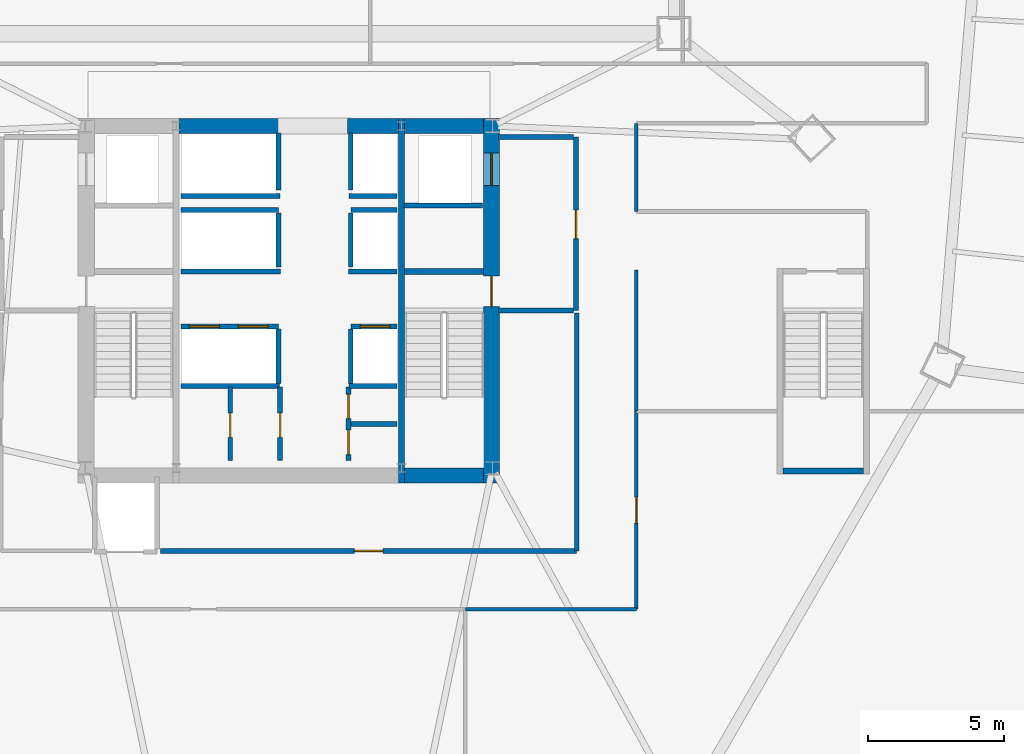
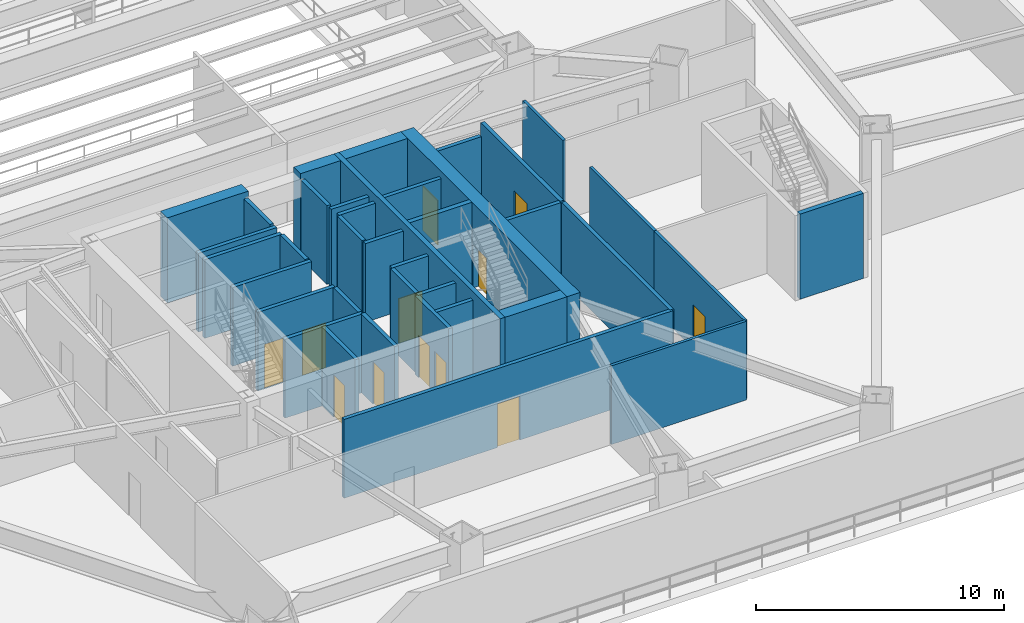
# One storey, part 6 of 12: 38 walls, 12 doors, 12 openings.
"""IFC4 building model written with IfcOpenShell, lengths in metres."""

from ifc_helpers import new_model, si_unit, direction, frame, frame_2d, origin, place, context, subcontext, project, spatial, rectangle, extrude, material, layer, layer_set, type_object, element, fill, save


model = new_model("IFC4")

# Units and contexts
model_context = context("Model", 3, precision=1e-05, world=origin(), true_north=direction((0.0, 1.0)))
body_context = subcontext(model_context, "Body", "Model", "MODEL_VIEW")
ifc_project = project(units=[si_unit("LENGTHUNIT", "METRE"), si_unit("AREAUNIT", "SQUARE_METRE"), si_unit("VOLUMEUNIT", "CUBIC_METRE"), si_unit("PLANEANGLEUNIT", "RADIAN"), si_unit("MASSUNIT", "GRAM", prefix="KILO")], contexts=[model_context])

# Site, building, storey
site_placement = place(None, origin())
site = spatial("IfcSite", under=ifc_project, at=site_placement, CompositionType="ELEMENT")
building_placement = place(site_placement, origin())
building = spatial("IfcBuilding", under=site, at=building_placement, Name="Caelisora Broadcast Tower", CompositionType="ELEMENT")
storey_placement = place(building_placement, frame((0.0, 0.0, 14.699951171875)))
storey = spatial("IfcBuildingStorey", under=building, at=storey_placement, Name="L03", CompositionType="ELEMENT", Elevation=14.699951171875)

# Wall, openings, doors
ifc_material_1 = material(Name="Concrete 65 MPa (AS 3600 S65)", Category="concrete")
ifc_layer_1 = layer(ifc_material_1, 0.60009765625, Name="Concrete 65 MPa (AS 3600 S65)")
ifc_layer_set_1 = layer_set([ifc_layer_1], Name="Concrete 65 MPa (AS 3600 S65)")
wall_type_1 = type_object("IfcWallType", Name="CW1", PredefinedType="SHEAR", material=ifc_layer_set_1)
wall_1_placement = place(storey_placement, frame((45.4599609375, 16.85009765625, 0.0), z_axis=(0.0, 0.0, 1.0), x_axis=(0.0, 1.0, 0.0)))
wall_1 = element("IfcWall", 1, at=wall_1_placement, inside=storey, type_object=wall_type_1, Name="L03 core shear wall CW1", PredefinedType="SHEAR", context=body_context, shape_type="SweptSolid", body=[
    extrude(rectangle(XDim=13.4248046875, YDim=0.60009765625, at=frame_2d((6.71240234375, 0.0))), origin(), (0.0, 0.0, 1.0), 4.199951171875),
])
opening_1_placement = place(wall_1_placement, frame((6.5, 0.0, 0.0)))
opening_1 = element("IfcOpeningElement", 2, at=opening_1_placement, cuts=wall_1, Name="Opening FD04", PredefinedType="OPENING", context=body_context, shape_type="SweptSolid", body=[
    extrude(rectangle(XDim=1.1201171875, YDim=2.14990234375, at=frame_2d((0.56005859375, 1.074951171875))), frame((0.0, 0.31201171875, 0.0), z_axis=(0.0, -1.0, 0.0), x_axis=(1.0, 0.0, 0.0)), (0.0, 0.0, 1.0), 0.6240234375),
])
opening_2_placement = place(wall_1_placement, frame((10.949951171875, 0.0, 0.0)))
opening_2 = element("IfcOpeningElement", 3, at=opening_2_placement, cuts=wall_1, Name="Opening LD04", PredefinedType="OPENING", context=body_context, shape_type="SweptSolid", body=[
    extrude(rectangle(XDim=1.199951171875, YDim=2.199951171875, at=frame_2d((0.60009765625, 1.10009765625))), frame((0.0, 0.31201171875, 0.0), z_axis=(0.0, -1.0, 0.0), x_axis=(1.0, 0.0, 0.0)), (0.0, 0.0, 1.0), 0.6240234375),
])
ifc_material_2 = material(Name="Pressurised Fire-Isolated Stair Door", Category="steel")
door_type_1 = type_object("IfcDoorType", Name="FD04", OperationType="NOTDEFINED", PredefinedType="DOOR", material=ifc_material_2)
door_1_placement = place(opening_1_placement, origin())
door_1 = element("IfcDoor", 4, at=door_1_placement, inside=storey, type_object=door_type_1, Name="L03 door FD04 (L03-DR-ST2)", OperationType="SINGLE_SWING_RIGHT", OverallHeight=2.14990234375, OverallWidth=1.1201171875, PredefinedType="DOOR", context=body_context, shape_type="SweptSolid", body=[
    extrude(rectangle(XDim=1.1201171875, YDim=2.14990234375, at=frame_2d((0.56005859375, 1.074951171875))), frame((0.0, 0.02490234375, 0.0), z_axis=(0.0, -1.0, 0.0), x_axis=(1.0, 0.0, 0.0)), (0.0, 0.0, 1.0), 0.050048828125),
])
fill(opening_1, door_1)
ifc_material_3 = material(Name="Emergency Firefighting Lift Sliding Landing Door", Category="steel")
door_type_2 = type_object("IfcDoorType", Name="LD04", OperationType="NOTDEFINED", PredefinedType="DOOR", material=ifc_material_3)
door_2_placement = place(opening_2_placement, origin())
door_2 = element("IfcDoor", 5, at=door_2_placement, inside=storey, type_object=door_type_2, Name="L03 door LD04 (L03-LD-FFL2)", OperationType="SLIDING_TO_RIGHT", OverallHeight=2.199951171875, OverallWidth=1.199951171875, PredefinedType="DOOR", context=body_context, shape_type="SweptSolid", body=[
    extrude(rectangle(XDim=1.199951171875, YDim=2.199951171875, at=frame_2d((0.60009765625, 1.10009765625))), frame((0.0, 0.02490234375, 0.0), z_axis=(0.0, -1.0, 0.0), x_axis=(1.0, 0.0, 0.0)), (0.0, 0.0, 1.0), 0.050048828125),
])
fill(opening_2, door_2)

# Walls
ifc_layer_2 = layer(ifc_material_1, 0.550048828125, Name="Concrete 65 MPa (AS 3600 S65)")
ifc_layer_set_2 = layer_set([ifc_layer_2], Name="Concrete 65 MPa (AS 3600 S65)")
wall_type_2 = type_object("IfcWallType", Name="CW4", PredefinedType="SHEAR", material=ifc_layer_set_2)
wall_2_placement = place(storey_placement, frame((42.260009765625, 17.125, 0.0), z_axis=(0.0, 0.0, 1.0), x_axis=(1.0, 0.0, 0.0)))
element("IfcWall", 6, at=wall_2_placement, inside=storey, type_object=wall_type_2, Name="L03 core shear wall CW4", PredefinedType="SHEAR", context=body_context, shape_type="SweptSolid", body=[
    extrude(rectangle(XDim=2.89990234375, YDim=0.550048828125, at=frame_2d((1.449951171875, 0.0))), origin(), (0.0, 0.0, 1.0), 4.199951171875),
])
wall_3_placement = place(storey_placement, frame((33.9599609375, 30.0, 0.0), z_axis=(0.0, 0.0, 1.0), x_axis=(1.0, 0.0, 0.0)))
element("IfcWall", 7, at=wall_3_placement, inside=storey, type_object=wall_type_2, Name="L03 core shear wall CW4", PredefinedType="SHEAR", context=body_context, shape_type="SweptSolid", body=[
    extrude(rectangle(XDim=3.780029296875, YDim=0.550048828125, at=frame_2d((1.89013671875, 0.0))), origin(), (0.0, 0.0, 1.0), 4.199951171875),
])
wall_4_placement = place(storey_placement, frame((40.159912109375, 30.0, 0.0), z_axis=(0.0, 0.0, 1.0), x_axis=(1.0, 0.0, 0.0)))
element("IfcWall", 8, at=wall_4_placement, inside=storey, type_object=wall_type_2, Name="L03 core shear wall CW4", PredefinedType="SHEAR", context=body_context, shape_type="SweptSolid", body=[
    extrude(rectangle(XDim=1.880126953125, YDim=0.550048828125, at=frame_2d((0.93994140625, 0.0))), origin(), (0.0, 0.0, 1.0), 4.199951171875),
])
wall_5_placement = place(storey_placement, frame((42.260009765625, 30.0, 0.0), z_axis=(0.0, 0.0, 1.0), x_axis=(1.0, 0.0, 0.0)))
element("IfcWall", 9, at=wall_5_placement, inside=storey, type_object=wall_type_2, Name="L03 core shear wall CW4", PredefinedType="SHEAR", context=body_context, shape_type="SweptSolid", body=[
    extrude(rectangle(XDim=2.89990234375, YDim=0.550048828125, at=frame_2d((1.449951171875, 0.0))), origin(), (0.0, 0.0, 1.0), 4.199951171875),
])
ifc_material_4 = material(Name="Concrete 50 MPa (AS 3600 S50)", Category="concrete")
ifc_layer_3 = layer(ifc_material_4, 0.219970703125, Name="Concrete 50 MPa (AS 3600 S50)")
ifc_layer_set_3 = layer_set([ifc_layer_3], Name="Concrete 50 MPa (AS 3600 S50)")
wall_type_3 = type_object("IfcWallType", Name="CW7", PredefinedType="SHEAR", material=ifc_layer_set_3)
wall_6_placement = place(storey_placement, frame((42.14990234375, 16.85009765625, 0.0), z_axis=(0.0, 0.0, 1.0), x_axis=(0.0, 1.0, 0.0)))
element("IfcWall", 10, at=wall_6_placement, inside=storey, type_object=wall_type_3, Name="L03 core shear wall CW7", PredefinedType="SHEAR", context=body_context, shape_type="SweptSolid", body=[
    extrude(rectangle(XDim=13.4248046875, YDim=0.219970703125, at=frame_2d((6.71240234375, 0.0))), origin(), (0.0, 0.0, 1.0), 4.199951171875),
])
wall_7_placement = place(storey_placement, frame((42.260009765625, 24.639892578125, 0.0), z_axis=(0.0, 0.0, 1.0), x_axis=(1.0, 0.0, 0.0)))
element("IfcWall", 11, at=wall_7_placement, inside=storey, type_object=wall_type_3, Name="L03 core shear wall CW7", PredefinedType="SHEAR", context=body_context, shape_type="SweptSolid", body=[
    extrude(rectangle(XDim=2.89990234375, YDim=0.219970703125, at=frame_2d((1.449951171875, 0.0))), origin(), (0.0, 0.0, 1.0), 4.199951171875),
])
wall_8_placement = place(storey_placement, frame((56.199951171875, 17.2900390625, 0.0), z_axis=(0.0, 0.0, 1.0), x_axis=(1.0, 0.0, 0.0)))
element("IfcWall", 12, at=wall_8_placement, inside=storey, type_object=wall_type_3, Name="L03 core shear wall CW7", PredefinedType="SHEAR", context=body_context, shape_type="SweptSolid", body=[
    extrude(rectangle(XDim=2.9599609375, YDim=0.219970703125, at=frame_2d((1.47998046875, 0.0))), origin(), (0.0, 0.0, 1.0), 4.199951171875),
])

# Wall, openings, doors
ifc_material_5 = material(Name="Fire-Rated Gypsum Shaft and Compartment Wall", Category="gypsum")
ifc_layer_4 = layer(ifc_material_5, 0.179931640625, Name="Fire-Rated Gypsum Shaft and Compartment Wall")
ifc_layer_set_4 = layer_set([ifc_layer_4], Name="Fire-Rated Gypsum Shaft and Compartment Wall")
wall_type_4 = type_object("IfcWallType", Name="PW2", PredefinedType="PARTITIONING", material=ifc_layer_set_4)
wall_9_placement = place(storey_placement, frame((34.02001953125, 22.6201171875, 0.0), z_axis=(0.0, 0.0, 1.0), x_axis=(1.0, 0.0, 0.0)))
wall_9 = element("IfcWall", 13, at=wall_9_placement, inside=storey, type_object=wall_type_4, Name="L03 fire compartment wall PW2", PredefinedType="PARTITIONING", context=body_context, shape_type="SweptSolid", body=[
    extrude(rectangle(XDim=3.60009765625, YDim=0.179931640625, at=frame_2d((1.800048828125, 0.0))), origin(), (0.0, 0.0, 1.0), 3.880126953125),
])
opening_3_placement = place(wall_9_placement, frame((0.320068359375, 0.0, 0.0)))
opening_3 = element("IfcOpeningElement", 14, at=opening_3_placement, cuts=wall_9, Name="Opening LD01", PredefinedType="OPENING", context=body_context, shape_type="SweptSolid", body=[
    extrude(rectangle(XDim=1.10009765625, YDim=2.199951171875, at=frame_2d((0.550048828125, 1.10009765625))), frame((0.0, 0.10205078125, 0.0), z_axis=(0.0, -1.0, 0.0), x_axis=(1.0, 0.0, 0.0)), (0.0, 0.0, 1.0), 0.203857421875),
])
opening_4_placement = place(wall_9_placement, frame((2.1201171875, 0.0, 0.0)))
opening_4 = element("IfcOpeningElement", 15, at=opening_4_placement, cuts=wall_9, Name="Opening LD01", PredefinedType="OPENING", context=body_context, shape_type="SweptSolid", body=[
    extrude(rectangle(XDim=1.10009765625, YDim=2.199951171875, at=frame_2d((0.550048828125, 1.10009765625))), frame((0.0, 0.10205078125, 0.0), z_axis=(0.0, -1.0, 0.0), x_axis=(1.0, 0.0, 0.0)), (0.0, 0.0, 1.0), 0.203857421875),
])
ifc_material_6 = material(Name="Stainless Steel Centre-Parting Lift Landing Door", Category="steel")
door_type_3 = type_object("IfcDoorType", Name="LD01", OperationType="NOTDEFINED", PredefinedType="DOOR", material=ifc_material_6)
door_3_placement = place(opening_3_placement, origin())
door_3 = element("IfcDoor", 16, at=door_3_placement, inside=storey, type_object=door_type_3, Name="L03 door LD01 (L03-LD-PLL1)", OperationType="SLIDING_TO_LEFT", OverallHeight=2.199951171875, OverallWidth=1.10009765625, PredefinedType="DOOR", context=body_context, shape_type="SweptSolid", body=[
    extrude(rectangle(XDim=1.10009765625, YDim=2.199951171875, at=frame_2d((0.550048828125, 1.10009765625))), frame((0.0, 0.02490234375, 0.0), z_axis=(0.0, -1.0, 0.0), x_axis=(1.0, 0.0, 0.0)), (0.0, 0.0, 1.0), 0.050048828125),
])
fill(opening_3, door_3)
door_4_placement = place(opening_4_placement, origin())
door_4 = element("IfcDoor", 17, at=door_4_placement, inside=storey, type_object=door_type_3, Name="L03 door LD01 (L03-LD-PLL2)", OperationType="SLIDING_TO_RIGHT", OverallHeight=2.199951171875, OverallWidth=1.10009765625, PredefinedType="DOOR", context=body_context, shape_type="SweptSolid", body=[
    extrude(rectangle(XDim=1.10009765625, YDim=2.199951171875, at=frame_2d((0.550048828125, 1.10009765625))), frame((0.0, 0.02490234375, 0.0), z_axis=(0.0, -1.0, 0.0), x_axis=(1.0, 0.0, 0.0)), (0.0, 0.0, 1.0), 0.050048828125),
])
fill(opening_4, door_4)

# Wall, opening, door
wall_10_placement = place(storey_placement, frame((40.280029296875, 22.6201171875, 0.0), z_axis=(0.0, 0.0, 1.0), x_axis=(1.0, 0.0, 0.0)))
wall_10 = element("IfcWall", 18, at=wall_10_placement, inside=storey, type_object=wall_type_4, Name="L03 fire compartment wall PW2", PredefinedType="PARTITIONING", context=body_context, shape_type="SweptSolid", body=[
    extrude(rectangle(XDim=1.699951171875, YDim=0.179931640625, at=frame_2d((0.85009765625, 0.0))), origin(), (0.0, 0.0, 1.0), 3.880126953125),
])
opening_5_placement = place(wall_10_placement, frame((0.35009765625, 0.0, 0.0)))
opening_5 = element("IfcOpeningElement", 19, at=opening_5_placement, cuts=wall_10, Name="Opening LD01", PredefinedType="OPENING", context=body_context, shape_type="SweptSolid", body=[
    extrude(rectangle(XDim=1.10009765625, YDim=2.199951171875, at=frame_2d((0.550048828125, 1.10009765625))), frame((0.0, 0.10205078125, 0.0), z_axis=(0.0, -1.0, 0.0), x_axis=(1.0, 0.0, 0.0)), (0.0, 0.0, 1.0), 0.203857421875),
])
door_5_placement = place(opening_5_placement, origin())
door_5 = element("IfcDoor", 20, at=door_5_placement, inside=storey, type_object=door_type_3, Name="L03 door LD01 (L03-LD-PLL3)", OperationType="SLIDING_TO_LEFT", OverallHeight=2.199951171875, OverallWidth=1.10009765625, PredefinedType="DOOR", context=body_context, shape_type="SweptSolid", body=[
    extrude(rectangle(XDim=1.10009765625, YDim=2.199951171875, at=frame_2d((0.550048828125, 1.10009765625))), frame((0.0, 0.02490234375, 0.0), z_axis=(0.0, -1.0, 0.0), x_axis=(1.0, 0.0, 0.0)), (0.0, 0.0, 1.0), 0.050048828125),
])
fill(opening_5, door_5)

# Walls
for number, where, z_axis, x_axis, name in (
    (21, (37.6201171875, 20.52001953125, 0.0), (0.0, 0.0, 1.0), (0.0, 1.0, 0.0), "L03 fire compartment wall PW2"),
    (22, (40.280029296875, 20.52001953125, 0.0), (0.0, 0.0, 1.0), (0.0, 1.0, 0.0), "L03 fire compartment wall PW2"),
):
    element("IfcWall", number, at=place(storey_placement, frame(where, z_axis=z_axis, x_axis=x_axis)), inside=storey, type_object=wall_type_4, Name=name, PredefinedType="PARTITIONING", context=body_context, shape_type="SweptSolid", body=[
        extrude(rectangle(XDim=2.0, YDim=0.179931640625, at=frame_2d((1.0, 0.0))), origin(), (0.0, 0.0, 1.0), 3.880126953125),
    ])
wall_11_placement = place(storey_placement, frame((34.02001953125, 26.89990234375, 0.0), z_axis=(0.0, 0.0, 1.0), x_axis=(1.0, 0.0, 0.0)))
element("IfcWall", 23, at=wall_11_placement, inside=storey, type_object=wall_type_4, Name="L03 fire compartment wall PW2", PredefinedType="PARTITIONING", context=body_context, shape_type="SweptSolid", body=[
    extrude(rectangle(XDim=3.60009765625, YDim=0.179931640625, at=frame_2d((1.800048828125, 0.0))), origin(), (0.0, 0.0, 1.0), 3.880126953125),
])
wall_12_placement = place(storey_placement, frame((40.280029296875, 26.89990234375, 0.0), z_axis=(0.0, 0.0, 1.0), x_axis=(1.0, 0.0, 0.0)))
element("IfcWall", 24, at=wall_12_placement, inside=storey, type_object=wall_type_4, Name="L03 fire compartment wall PW2", PredefinedType="PARTITIONING", context=body_context, shape_type="SweptSolid", body=[
    extrude(rectangle(XDim=1.699951171875, YDim=0.179931640625, at=frame_2d((0.85009765625, 0.0))), origin(), (0.0, 0.0, 1.0), 3.880126953125),
])
for number, where, z_axis, x_axis, name in (
    (25, (37.6201171875, 24.800048828125, 0.0), (0.0, 0.0, 1.0), (0.0, 1.0, 0.0), "L03 fire compartment wall PW2"),
    (26, (40.280029296875, 24.800048828125, 0.0), (0.0, 0.0, 1.0), (0.0, 1.0, 0.0), "L03 fire compartment wall PW2"),
):
    element("IfcWall", number, at=place(storey_placement, frame(where, z_axis=z_axis, x_axis=x_axis)), inside=storey, type_object=wall_type_4, Name=name, PredefinedType="PARTITIONING", context=body_context, shape_type="SweptSolid", body=[
        extrude(rectangle(XDim=2.0, YDim=0.179931640625, at=frame_2d((1.0, 0.0))), origin(), (0.0, 0.0, 1.0), 3.880126953125),
    ])
wall_13_placement = place(storey_placement, frame((34.02001953125, 24.639892578125, 0.0), z_axis=(0.0, 0.0, 1.0), x_axis=(1.0, 0.0, 0.0)))
element("IfcWall", 27, at=wall_13_placement, inside=storey, type_object=wall_type_4, Name="L03 fire compartment wall PW2", PredefinedType="PARTITIONING", context=body_context, shape_type="SweptSolid", body=[
    extrude(rectangle(XDim=3.679931640625, YDim=0.179931640625, at=frame_2d((1.83984375, 0.0))), origin(), (0.0, 0.0, 1.0), 3.880126953125),
])
wall_14_placement = place(storey_placement, frame((40.199951171875, 24.639892578125, 0.0), z_axis=(0.0, 0.0, 1.0), x_axis=(1.0, 0.0, 0.0)))
element("IfcWall", 28, at=wall_14_placement, inside=storey, type_object=wall_type_4, Name="L03 fire compartment wall PW2", PredefinedType="PARTITIONING", context=body_context, shape_type="SweptSolid", body=[
    extrude(rectangle(XDim=1.780029296875, YDim=0.179931640625, at=frame_2d((0.89013671875, 0.0))), origin(), (0.0, 0.0, 1.0), 3.880126953125),
])
wall_15_placement = place(storey_placement, frame((34.02001953125, 27.419921875, 0.0), z_axis=(0.0, 0.0, 1.0), x_axis=(1.0, 0.0, 0.0)))
element("IfcWall", 29, at=wall_15_placement, inside=storey, type_object=wall_type_4, Name="L03 fire compartment wall PW2", PredefinedType="PARTITIONING", context=body_context, shape_type="SweptSolid", body=[
    extrude(rectangle(XDim=3.659912109375, YDim=0.179931640625, at=frame_2d((1.830078125, 0.0))), origin(), (0.0, 0.0, 1.0), 3.880126953125),
])
wall_16_placement = place(storey_placement, frame((40.219970703125, 27.419921875, 0.0), z_axis=(0.0, 0.0, 1.0), x_axis=(1.0, 0.0, 0.0)))
element("IfcWall", 30, at=wall_16_placement, inside=storey, type_object=wall_type_4, Name="L03 fire compartment wall PW2", PredefinedType="PARTITIONING", context=body_context, shape_type="SweptSolid", body=[
    extrude(rectangle(XDim=1.760009765625, YDim=0.179931640625, at=frame_2d((0.8798828125, 0.0))), origin(), (0.0, 0.0, 1.0), 3.880126953125),
])
for number, where, z_axis, x_axis, name in (
    (31, (37.6201171875, 27.639892578125, 0.0), (0.0, 0.0, 1.0), (0.0, 1.0, 0.0), "L03 fire compartment wall PW2"),
    (32, (40.280029296875, 27.639892578125, 0.0), (0.0, 0.0, 1.0), (0.0, 1.0, 0.0), "L03 fire compartment wall PW2"),
):
    element("IfcWall", number, at=place(storey_placement, frame(where, z_axis=z_axis, x_axis=x_axis)), inside=storey, type_object=wall_type_4, Name=name, PredefinedType="PARTITIONING", context=body_context, shape_type="SweptSolid", body=[
        extrude(rectangle(XDim=2.110107421875, YDim=0.179931640625, at=frame_2d((1.05517578125, 0.0))), origin(), (0.0, 0.0, 1.0), 3.880126953125),
    ])

# Wall, opening, door
wall_17_placement = place(storey_placement, frame((48.580078125, 23.199951171875, 0.0), z_axis=(0.0, 0.0, 1.0), x_axis=(0.0, 1.0, 0.0)))
wall_17 = element("IfcWall", 33, at=wall_17_placement, inside=storey, type_object=wall_type_4, Name="L03 fire compartment wall PW2", PredefinedType="PARTITIONING", context=body_context, shape_type="SweptSolid", body=[
    extrude(rectangle(XDim=6.400146484375, YDim=0.179931640625, at=frame_2d((3.2001953125, 0.0))), origin(), (0.0, 0.0, 1.0), 3.880126953125),
])
opening_6_placement = place(wall_17_placement, frame((2.64990234375, 0.0, 0.0)))
opening_6 = element("IfcOpeningElement", 34, at=opening_6_placement, cuts=wall_17, Name="Opening FD02", PredefinedType="OPENING", context=body_context, shape_type="SweptSolid", body=[
    extrude(rectangle(XDim=1.050048828125, YDim=2.14990234375, at=frame_2d((0.52490234375, 1.074951171875))), frame((0.0, 0.10205078125, 0.0), z_axis=(0.0, -1.0, 0.0), x_axis=(1.0, 0.0, 0.0)), (0.0, 0.0, 1.0), 0.203857421875),
])
ifc_material_7 = material(Name="Single-Leaf Steel Fire Lobby Door", Category="steel")
door_type_4 = type_object("IfcDoorType", Name="FD02", OperationType="NOTDEFINED", PredefinedType="DOOR", material=ifc_material_7)
door_6_placement = place(opening_6_placement, origin())
door_6 = element("IfcDoor", 35, at=door_6_placement, inside=storey, type_object=door_type_4, Name="L03 door FD02 (L03-DR-P04D1)", OperationType="SINGLE_SWING_RIGHT", OverallHeight=2.14990234375, OverallWidth=1.050048828125, PredefinedType="DOOR", context=body_context, shape_type="SweptSolid", body=[
    extrude(rectangle(XDim=1.050048828125, YDim=2.14990234375, at=frame_2d((0.52490234375, 1.074951171875))), frame((0.0, 0.02490234375, 0.0), z_axis=(0.0, -1.0, 0.0), x_axis=(1.0, 0.0, 0.0)), (0.0, 0.0, 1.0), 0.050048828125),
])
fill(opening_6, door_6)

# Walls
wall_18_placement = place(storey_placement, frame((45.719970703125, 23.199951171875, 0.0), z_axis=(0.0, 0.0, 1.0), x_axis=(1.0, 0.0, 0.0)))
element("IfcWall", 36, at=wall_18_placement, inside=storey, type_object=wall_type_4, Name="L03 fire compartment wall PW2", PredefinedType="PARTITIONING", context=body_context, shape_type="SweptSolid", body=[
    extrude(rectangle(XDim=2.760009765625, YDim=0.179931640625, at=frame_2d((1.3798828125, 0.0))), origin(), (0.0, 0.0, 1.0), 3.880126953125),
])
wall_19_placement = place(storey_placement, frame((45.719970703125, 29.60009765625, 0.0), z_axis=(0.0, 0.0, 1.0), x_axis=(1.0, 0.0, 0.0)))
element("IfcWall", 37, at=wall_19_placement, inside=storey, type_object=wall_type_4, Name="L03 fire compartment wall PW2", PredefinedType="PARTITIONING", context=body_context, shape_type="SweptSolid", body=[
    extrude(rectangle(XDim=2.760009765625, YDim=0.179931640625, at=frame_2d((1.3798828125, 0.0))), origin(), (0.0, 0.0, 1.0), 3.25341796875),
])
wall_20_placement = place(storey_placement, frame((42.239990234375, 27.070068359375, 0.0), z_axis=(0.0, 0.0, 1.0), x_axis=(1.0, 0.0, 0.0)))
element("IfcWall", 38, at=wall_20_placement, inside=storey, type_object=wall_type_4, Name="L03 fire compartment wall PW2", PredefinedType="PARTITIONING", context=body_context, shape_type="SweptSolid", body=[
    extrude(rectangle(XDim=2.89990234375, YDim=0.179931640625, at=frame_2d((1.449951171875, 0.0))), origin(), (0.0, 0.0, 1.0), 3.880126953125),
])
wall_21_placement = place(storey_placement, frame((34.02001953125, 20.419921875, 0.0), z_axis=(0.0, 0.0, 1.0), x_axis=(1.0, 0.0, 0.0)))
element("IfcWall", 39, at=wall_21_placement, inside=storey, type_object=wall_type_4, Name="L03 fire compartment wall PW2", PredefinedType="PARTITIONING", context=body_context, shape_type="SweptSolid", body=[
    extrude(rectangle(XDim=3.639892578125, YDim=0.179931640625, at=frame_2d((1.81982421875, 0.0))), origin(), (0.0, 0.0, 1.0), 3.880126953125),
])
wall_22_placement = place(storey_placement, frame((40.219970703125, 20.419921875, 0.0), z_axis=(0.0, 0.0, 1.0), x_axis=(1.0, 0.0, 0.0)))
element("IfcWall", 40, at=wall_22_placement, inside=storey, type_object=wall_type_4, Name="L03 fire compartment wall PW2", PredefinedType="PARTITIONING", context=body_context, shape_type="SweptSolid", body=[
    extrude(rectangle(XDim=1.760009765625, YDim=0.179931640625, at=frame_2d((0.8798828125, 0.0))), origin(), (0.0, 0.0, 1.0), 3.880126953125),
])

# Wall, opening, door
wall_23_placement = place(storey_placement, frame((35.840087890625, 17.679931640625, 0.0), z_axis=(0.0, 0.0, 1.0), x_axis=(0.0, 1.0, 0.0)))
wall_23 = element("IfcWall", 41, at=wall_23_placement, inside=storey, type_object=wall_type_4, Name="L03 fire compartment wall PW2", PredefinedType="PARTITIONING", context=body_context, shape_type="SweptSolid", body=[
    extrude(rectangle(XDim=2.699951171875, YDim=0.179931640625, at=frame_2d((1.35009765625, 0.0))), origin(), (0.0, 0.0, 1.0), 3.880126953125),
])
opening_7_placement = place(wall_23_placement, frame((0.85009765625, 0.0, 0.0)))
opening_7 = element("IfcOpeningElement", 42, at=opening_7_placement, cuts=wall_23, Name="Opening FD03", PredefinedType="OPENING", context=body_context, shape_type="SweptSolid", body=[
    extrude(rectangle(XDim=0.89990234375, YDim=2.10009765625, at=frame_2d((0.449951171875, 1.050048828125))), frame((0.0, 0.10205078125, 0.0), z_axis=(0.0, -1.0, 0.0), x_axis=(1.0, 0.0, 0.0)), (0.0, 0.0, 1.0), 0.203857421875),
])
ifc_material_8 = material(Name="Single-Leaf Steel Riser Fire Access Door", Category="steel")
door_type_5 = type_object("IfcDoorType", Name="FD03", OperationType="NOTDEFINED", PredefinedType="DOOR", material=ifc_material_8)
door_7_placement = place(opening_7_placement, origin())
door_7 = element("IfcDoor", 43, at=door_7_placement, inside=storey, type_object=door_type_5, Name="L03 door FD03 (L03-DR-P11D1)", OperationType="SINGLE_SWING_LEFT", OverallHeight=2.10009765625, OverallWidth=0.89990234375, PredefinedType="DOOR", context=body_context, shape_type="SweptSolid", body=[
    extrude(rectangle(XDim=0.89990234375, YDim=2.10009765625, at=frame_2d((0.449951171875, 1.050048828125))), frame((0.0, 0.02490234375, 0.0), z_axis=(0.0, -1.0, 0.0), x_axis=(1.0, 0.0, 0.0)), (0.0, 0.0, 1.0), 0.050048828125),
])
fill(opening_7, door_7)

wall_24_placement = place(storey_placement, frame((37.679931640625, 17.679931640625, 0.0), z_axis=(0.0, 0.0, 1.0), x_axis=(0.0, 1.0, 0.0)))
wall_24 = element("IfcWall", 44, at=wall_24_placement, inside=storey, type_object=wall_type_4, Name="L03 fire compartment wall PW2", PredefinedType="PARTITIONING", context=body_context, shape_type="SweptSolid", body=[
    extrude(rectangle(XDim=2.699951171875, YDim=0.179931640625, at=frame_2d((1.35009765625, 0.0))), origin(), (0.0, 0.0, 1.0), 3.880126953125),
])
opening_8_placement = place(wall_24_placement, frame((0.85009765625, 0.0, 0.0)))
opening_8 = element("IfcOpeningElement", 45, at=opening_8_placement, cuts=wall_24, Name="Opening FD03", PredefinedType="OPENING", context=body_context, shape_type="SweptSolid", body=[
    extrude(rectangle(XDim=0.89990234375, YDim=2.10009765625, at=frame_2d((0.449951171875, 1.050048828125))), frame((0.0, 0.10205078125, 0.0), z_axis=(0.0, -1.0, 0.0), x_axis=(1.0, 0.0, 0.0)), (0.0, 0.0, 1.0), 0.203857421875),
])
door_8_placement = place(opening_8_placement, origin())
door_8 = element("IfcDoor", 46, at=door_8_placement, inside=storey, type_object=door_type_5, Name="L03 door FD03 (L03-DR-P12D1)", OperationType="SINGLE_SWING_RIGHT", OverallHeight=2.10009765625, OverallWidth=0.89990234375, PredefinedType="DOOR", context=body_context, shape_type="SweptSolid", body=[
    extrude(rectangle(XDim=0.89990234375, YDim=2.10009765625, at=frame_2d((0.449951171875, 1.050048828125))), frame((0.0, 0.02490234375, 0.0), z_axis=(0.0, -1.0, 0.0), x_axis=(1.0, 0.0, 0.0)), (0.0, 0.0, 1.0), 0.050048828125),
])
fill(opening_8, door_8)

# Wall
wall_25_placement = place(storey_placement, frame((40.280029296875, 19.02001953125, 0.0), z_axis=(0.0, 0.0, 1.0), x_axis=(1.0, 0.0, 0.0)))
element("IfcWall", 47, at=wall_25_placement, inside=storey, type_object=wall_type_4, Name="L03 fire compartment wall PW2", PredefinedType="PARTITIONING", context=body_context, shape_type="SweptSolid", body=[
    extrude(rectangle(XDim=1.699951171875, YDim=0.179931640625, at=frame_2d((0.85009765625, 0.0))), origin(), (0.0, 0.0, 1.0), 3.880126953125),
])

# Wall, openings, doors
wall_26_placement = place(storey_placement, frame((40.199951171875, 17.679931640625, 0.0), z_axis=(0.0, 0.0, 1.0), x_axis=(0.0, 1.0, 0.0)))
wall_26 = element("IfcWall", 48, at=wall_26_placement, inside=storey, type_object=wall_type_4, Name="L03 fire compartment wall PW2", PredefinedType="PARTITIONING", context=body_context, shape_type="SweptSolid", body=[
    extrude(rectangle(XDim=2.699951171875, YDim=0.179931640625, at=frame_2d((1.35009765625, 0.0))), origin(), (0.0, 0.0, 1.0), 3.880126953125),
])
opening_9_placement = place(wall_26_placement, frame((0.219970703125, 0.0, 0.0)))
opening_9 = element("IfcOpeningElement", 49, at=opening_9_placement, cuts=wall_26, Name="Opening FD03", PredefinedType="OPENING", context=body_context, shape_type="SweptSolid", body=[
    extrude(rectangle(XDim=0.89990234375, YDim=2.10009765625, at=frame_2d((0.449951171875, 1.050048828125))), frame((0.0, 0.10205078125, 0.0), z_axis=(0.0, -1.0, 0.0), x_axis=(1.0, 0.0, 0.0)), (0.0, 0.0, 1.0), 0.203857421875),
])
opening_10_placement = place(wall_26_placement, frame((1.5400390625, 0.0, 0.0)))
opening_10 = element("IfcOpeningElement", 50, at=opening_10_placement, cuts=wall_26, Name="Opening FD03", PredefinedType="OPENING", context=body_context, shape_type="SweptSolid", body=[
    extrude(rectangle(XDim=0.89990234375, YDim=2.10009765625, at=frame_2d((0.449951171875, 1.050048828125))), frame((0.0, 0.10205078125, 0.0), z_axis=(0.0, -1.0, 0.0), x_axis=(1.0, 0.0, 0.0)), (0.0, 0.0, 1.0), 0.203857421875),
])
door_9_placement = place(opening_9_placement, origin())
door_9 = element("IfcDoor", 51, at=door_9_placement, inside=storey, type_object=door_type_5, Name="L03 door FD03 (L03-DR-P14D1)", OperationType="SINGLE_SWING_LEFT", OverallHeight=2.10009765625, OverallWidth=0.89990234375, PredefinedType="DOOR", context=body_context, shape_type="SweptSolid", body=[
    extrude(rectangle(XDim=0.89990234375, YDim=2.10009765625, at=frame_2d((0.449951171875, 1.050048828125))), frame((0.0, 0.02490234375, 0.0), z_axis=(0.0, -1.0, 0.0), x_axis=(1.0, 0.0, 0.0)), (0.0, 0.0, 1.0), 0.050048828125),
])
fill(opening_9, door_9)
door_10_placement = place(opening_10_placement, origin())
door_10 = element("IfcDoor", 52, at=door_10_placement, inside=storey, type_object=door_type_5, Name="L03 door FD03 (L03-DR-P14D2)", OperationType="SINGLE_SWING_RIGHT", OverallHeight=2.10009765625, OverallWidth=0.89990234375, PredefinedType="DOOR", context=body_context, shape_type="SweptSolid", body=[
    extrude(rectangle(XDim=0.89990234375, YDim=2.10009765625, at=frame_2d((0.449951171875, 1.050048828125))), frame((0.0, 0.02490234375, 0.0), z_axis=(0.0, -1.0, 0.0), x_axis=(1.0, 0.0, 0.0)), (0.0, 0.0, 1.0), 0.050048828125),
])
fill(opening_10, door_10)

# Wall, opening, door
wall_27_placement = place(storey_placement, frame((33.27490234375, 14.35009765625, 0.0), z_axis=(0.0, 0.0, 1.0), x_axis=(1.0, 0.0, 0.0)))
wall_27 = element("IfcWall", 53, at=wall_27_placement, inside=storey, type_object=wall_type_4, Name="L03 fire compartment wall PW2", PredefinedType="PARTITIONING", context=body_context, shape_type="SweptSolid", body=[
    extrude(rectangle(XDim=15.320068359375, YDim=0.179931640625, at=frame_2d((7.66015625, 0.0))), origin(), (0.0, 0.0, 1.0), 3.880126953125),
])
opening_11_placement = place(wall_27_placement, frame((7.135009765625, 0.0, 0.0)))
opening_11 = element("IfcOpeningElement", 54, at=opening_11_placement, cuts=wall_27, Name="Opening FD02", PredefinedType="OPENING", context=body_context, shape_type="SweptSolid", body=[
    extrude(rectangle(XDim=1.050048828125, YDim=2.14990234375, at=frame_2d((0.52490234375, 1.074951171875))), frame((0.0, 0.10205078125, 0.0), z_axis=(0.0, -1.0, 0.0), x_axis=(1.0, 0.0, 0.0)), (0.0, 0.0, 1.0), 0.203857421875),
])
door_11_placement = place(opening_11_placement, origin())
door_11 = element("IfcDoor", 55, at=door_11_placement, inside=storey, type_object=door_type_4, Name="L03 door FD02 (L03-DR-P25D1)", OperationType="SINGLE_SWING_RIGHT", OverallHeight=2.14990234375, OverallWidth=1.050048828125, PredefinedType="DOOR", context=body_context, shape_type="SweptSolid", body=[
    extrude(rectangle(XDim=1.050048828125, YDim=2.14990234375, at=frame_2d((0.52490234375, 1.074951171875))), frame((0.0, 0.02490234375, 0.0), z_axis=(0.0, -1.0, 0.0), x_axis=(1.0, 0.0, 0.0)), (0.0, 0.0, 1.0), 0.050048828125),
])
fill(opening_11, door_11)

# Wall
wall_28_placement = place(storey_placement, frame((48.60009765625, 14.35498046875, 0.0), z_axis=(0.0, 0.0, 1.0), x_axis=(0.0, 1.0, 0.0)))
element("IfcWall", 56, at=wall_28_placement, inside=storey, type_object=wall_type_4, Name="L03 fire compartment wall PW2", PredefinedType="PARTITIONING", context=body_context, shape_type="SweptSolid", body=[
    extrude(rectangle(XDim=8.75, YDim=0.179931640625, at=frame_2d((4.375, 0.0))), origin(), (0.0, 0.0, 1.0), 3.880126953125),
])

# Wall, opening, door
ifc_material_9 = material(Name="Acoustic Steel-Stud Plasterboard Partition", Category="gypsum")
ifc_layer_5 = layer(ifc_material_9, 0.1298828125, Name="Acoustic Steel-Stud Plasterboard Partition")
ifc_layer_set_5 = layer_set([ifc_layer_5], Name="Acoustic Steel-Stud Plasterboard Partition")
wall_type_5 = type_object("IfcWallType", Name="PW3", PredefinedType="PARTITIONING", material=ifc_layer_set_5)
wall_29_placement = place(storey_placement, frame((50.800048828125, 12.205078125, 0.0), z_axis=(0.0, 0.0, 1.0), x_axis=(0.0, 1.0, 0.0)))
wall_29 = element("IfcWall", 57, at=wall_29_placement, inside=storey, type_object=wall_type_5, Name="L03 internal partition PW3", PredefinedType="PARTITIONING", context=body_context, shape_type="SweptSolid", body=[
    extrude(rectangle(XDim=7.2900390625, YDim=0.1298828125, at=frame_2d((3.64501953125, 0.0))), origin(), (0.0, 0.0, 1.0), 3.880126953125),
])
opening_12_placement = place(wall_29_placement, frame((3.1650390625, 0.0, 0.0)))
opening_12 = element("IfcOpeningElement", 58, at=opening_12_placement, cuts=wall_29, Name="Opening D01", PredefinedType="OPENING", context=body_context, shape_type="SweptSolid", body=[
    extrude(rectangle(XDim=0.9599609375, YDim=2.14990234375, at=frame_2d((0.47998046875, 1.074951171875))), frame((0.0, 0.076904296875, 0.0), z_axis=(0.0, -1.0, 0.0), x_axis=(1.0, 0.0, 0.0)), (0.0, 0.0, 1.0), 0.15380859375),
])
ifc_material_10 = material(Name="Solid-Core Timber Acoustic Office Door", Category="wood")
door_type_6 = type_object("IfcDoorType", Name="D01", OperationType="NOTDEFINED", PredefinedType="DOOR", material=ifc_material_10)
door_12_placement = place(opening_12_placement, origin())
door_12 = element("IfcDoor", 59, at=door_12_placement, inside=storey, type_object=door_type_6, Name="L03 door D01 (L03-DR-P47D1)", OperationType="SINGLE_SWING_RIGHT", OverallHeight=2.14990234375, OverallWidth=0.9599609375, PredefinedType="DOOR", context=body_context, shape_type="SweptSolid", body=[
    extrude(rectangle(XDim=0.9599609375, YDim=2.14990234375, at=frame_2d((0.47998046875, 1.074951171875))), frame((0.0, 0.02490234375, 0.0), z_axis=(0.0, -1.0, 0.0), x_axis=(1.0, 0.0, 0.0)), (0.0, 0.0, 1.0), 0.050048828125),
])
fill(opening_12, door_12)

# Walls
wall_30_placement = place(storey_placement, frame((44.5048828125, 12.199951171875, 0.0), z_axis=(0.0, 0.0, 1.0), x_axis=(1.0, 0.0, 0.0)))
element("IfcWall", 60, at=wall_30_placement, inside=storey, type_object=wall_type_5, Name="L03 internal partition PW3", PredefinedType="PARTITIONING", context=body_context, shape_type="SweptSolid", body=[
    extrude(rectangle(XDim=6.2900390625, YDim=0.1298828125, at=frame_2d((3.14501953125, 0.0))), origin(), (0.0, 0.0, 1.0), 3.880126953125),
])
wall_31_placement = place(storey_placement, frame((50.800048828125, 24.695068359375, 0.0), z_axis=(0.0, 0.0, 1.0), x_axis=(0.0, -1.0, 0.0)))
element("IfcWall", 61, at=wall_31_placement, inside=storey, type_object=wall_type_5, Name="L03 internal partition PW3", PredefinedType="PARTITIONING", context=body_context, shape_type="SweptSolid", body=[
    extrude(rectangle(XDim=5.190185546875, YDim=0.1298828125, at=frame_2d((2.59521484375, 0.0))), origin(), (0.0, 0.0, 1.0), 3.880126953125),
])
wall_32_placement = place(storey_placement, frame((50.800048828125, 30.094970703125, 0.0), z_axis=(0.0, 0.0, 1.0), x_axis=(0.0, -1.0, 0.0)))
element("IfcWall", 62, at=wall_32_placement, inside=storey, type_object=wall_type_5, Name="L03 internal partition PW3", PredefinedType="PARTITIONING", context=body_context, shape_type="SweptSolid", body=[
    extrude(rectangle(XDim=3.239990234375, YDim=0.1298828125, at=frame_2d((1.6201171875, 0.0))), origin(), (0.0, 0.0, 1.0), 3.880126953125),
])

save(model, "model.ifc")
